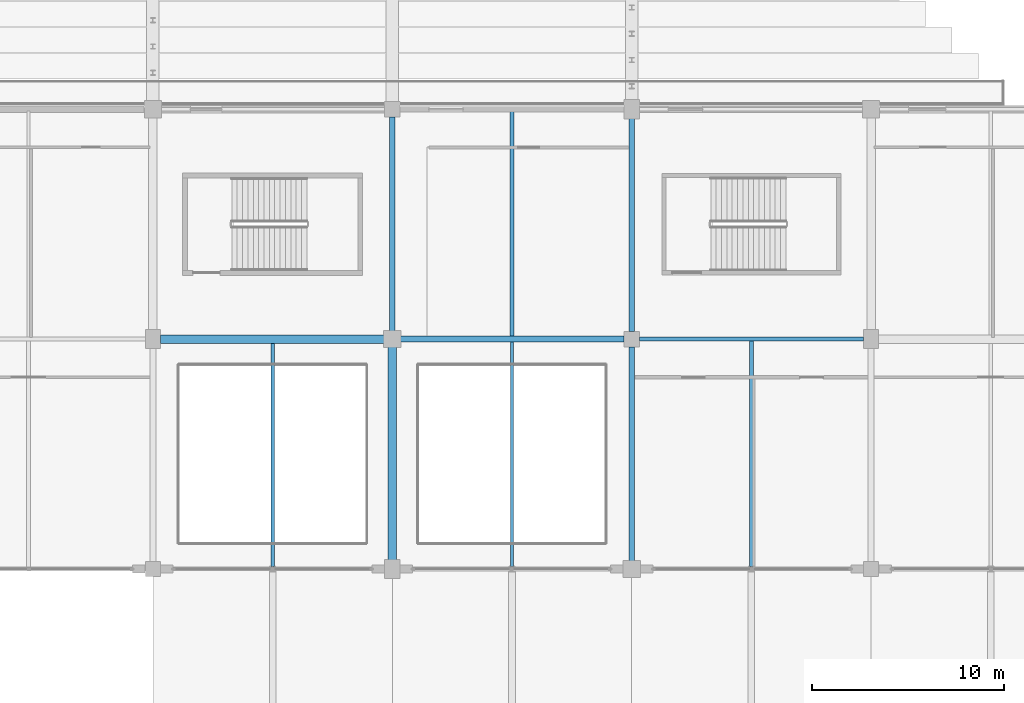
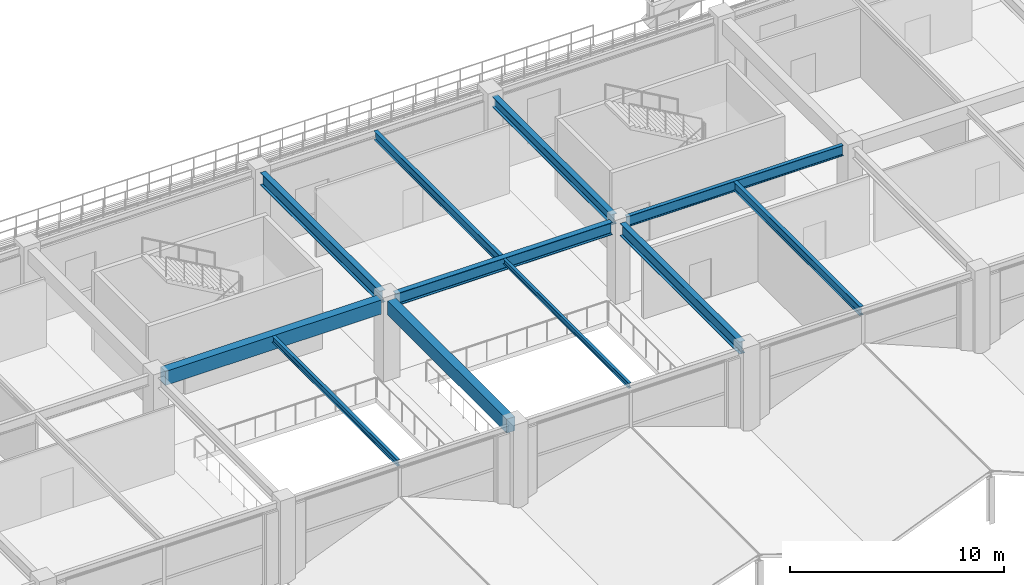
# One storey, part 30 of 134: 11 beams.
"""IFC4 building model written with IfcOpenShell, lengths in metres."""

from ifc_helpers import new_model, si_unit, direction, frame, origin, origin_2d, place, context, subcontext, project, spatial, rectangle, i_section, extrude, material, material_profile, profile_set, type_object, element, save


model = new_model("IFC4")

# Units and contexts
model_context = context("Model", 3, precision=1e-05, world=origin(), true_north=direction((0.0, 1.0)))
body_context = subcontext(model_context, "Body", "Model", "MODEL_VIEW")
ifc_project = project(units=[si_unit("LENGTHUNIT", "METRE"), si_unit("AREAUNIT", "SQUARE_METRE"), si_unit("VOLUMEUNIT", "CUBIC_METRE"), si_unit("PLANEANGLEUNIT", "RADIAN"), si_unit("MASSUNIT", "GRAM", prefix="KILO")], contexts=[model_context])

# Site, building, storey
site_placement = place(None, origin())
site = spatial("IfcSite", under=ifc_project, at=site_placement, CompositionType="ELEMENT")
building_placement = place(site_placement, origin())
building = spatial("IfcBuilding", under=site, at=building_placement, Name="Kazenohara Klinker Stadium", CompositionType="ELEMENT")
storey_placement = place(building_placement, frame((0.0, 0.0, 5.39990234375)))
storey = spatial("IfcBuildingStorey", under=building, at=storey_placement, Name="L01", CompositionType="ELEMENT", Elevation=5.39990234375)

# Beams
ifc_material_1 = material(Name="Steel S355", Category="steel")
ifc_material_profile_1 = material_profile(ifc_material_1, i_section(OverallWidth=0.199951171875, OverallDepth=0.5, WebThickness=0.010009765625, FlangeThickness=0.01611328125, FilletRadius=0.012939453125, at=origin_2d()), Name="H-500x200x10x16")
ifc_profile_set_1 = profile_set([ifc_material_profile_1], Name="Steel S355")
beam_type_1 = type_object("IfcBeamType", Name="BM-JST01", PredefinedType="JOIST", material=ifc_profile_set_1)
beam_1_placement = place(storey_placement, frame((143.75, 24.14990234375, 4.300048828125), z_axis=(0.0, 1.0, 0.0), x_axis=(-1.0, 0.0, 0.0)))
element("IfcBeam", 1, at=beam_1_placement, inside=storey, type_object=beam_type_1, Name="Secondary floor joist SJ01 L01 12/C", PredefinedType="JOIST", context=body_context, shape_type="SweptSolid", body=[
    extrude(i_section(OverallWidth=0.199951171875, OverallDepth=0.5, WebThickness=0.010009765625, FlangeThickness=0.01611328125, FilletRadius=0.012939453125, at=origin_2d()), origin(), (0.0, 0.0, 1.0), 11.75),
])
beam_2_placement = place(storey_placement, frame((156.25, 12.08740234375, 4.300048828125), z_axis=(0.0, 1.0, 0.0), x_axis=(-1.0, 0.0, 0.0)))
element("IfcBeam", 2, at=beam_2_placement, inside=storey, type_object=beam_type_1, Name="Secondary floor joist SJ01 L01 13/B", PredefinedType="JOIST", context=body_context, shape_type="SweptSolid", body=[
    extrude(i_section(OverallWidth=0.199951171875, OverallDepth=0.5, WebThickness=0.010009765625, FlangeThickness=0.01611328125, FilletRadius=0.012939453125, at=origin_2d()), origin(), (0.0, 0.0, 1.0), 11.8125),
])
ifc_material_profile_2 = material_profile(ifc_material_1, i_section(OverallWidth=0.175048828125, OverallDepth=0.35009765625, WebThickness=0.007080078125, FlangeThickness=0.010986328125, FilletRadius=0.012939453125, at=origin_2d()), Name="H-350x175x7x11")
ifc_profile_set_2 = profile_set([ifc_material_profile_2], Name="Steel S355")
beam_type_2 = type_object("IfcBeamType", Name="BM-JST04", PredefinedType="JOIST", material=ifc_profile_set_2)
beam_3_placement = place(storey_placement, frame((131.25, 12.08740234375, 4.375), z_axis=(0.0, 1.0, 0.0), x_axis=(-1.0, 0.0, 0.0)))
element("IfcBeam", 3, at=beam_3_placement, inside=storey, type_object=beam_type_2, Name="Secondary floor joist SJ04 L01 11/B", PredefinedType="JOIST", context=body_context, shape_type="SweptSolid", body=[
    extrude(i_section(OverallWidth=0.175048828125, OverallDepth=0.35009765625, WebThickness=0.007080078125, FlangeThickness=0.010986328125, FilletRadius=0.012939453125, at=origin_2d()), origin(), (0.0, 0.0, 1.0), 11.6875),
])
ifc_material_profile_3 = material_profile(ifc_material_1, i_section(OverallWidth=0.14990234375, OverallDepth=0.300048828125, WebThickness=0.006591796875, FlangeThickness=0.009033203125, FilletRadius=0.012939453125, at=origin_2d()), Name="H-300x150x6.5x9")
ifc_profile_set_3 = profile_set([ifc_material_profile_3], Name="Steel S355")
beam_type_3 = type_object("IfcBeamType", Name="BM-JST05", PredefinedType="JOIST", material=ifc_profile_set_3)
beam_4_placement = place(storey_placement, frame((143.75, 12.10009765625, 4.400146484375), z_axis=(0.0, 1.0, 0.0), x_axis=(-1.0, 0.0, 0.0)))
element("IfcBeam", 4, at=beam_4_placement, inside=storey, type_object=beam_type_3, Name="Secondary floor joist SJ05 L01 12/B", PredefinedType="JOIST", context=body_context, shape_type="SweptSolid", body=[
    extrude(i_section(OverallWidth=0.14990234375, OverallDepth=0.300048828125, WebThickness=0.006591796875, FlangeThickness=0.009033203125, FilletRadius=0.012939453125, at=origin_2d()), origin(), (0.0, 0.0, 1.0), 11.75),
])
ifc_material_2 = material(Name="Concrete C40/50", Category="concrete")
ifc_material_profile_4 = material_profile(ifc_material_2, rectangle(XDim=0.449951171875, YDim=0.800048828125, at=origin_2d()), Name="RC-BM-450x800")
ifc_profile_set_4 = profile_set([ifc_material_profile_4], Name="Concrete C40/50")
beam_type_4 = type_object("IfcBeamType", Name="BM-RC03", PredefinedType="BEAM", material=ifc_profile_set_4)
beam_5_placement = place(storey_placement, frame((125.39990234375, 24.0, 4.150146484375), z_axis=(1.0, 0.0, 0.0), x_axis=(0.0, 1.0, 0.0)))
element("IfcBeam", 5, at=beam_5_placement, inside=storey, type_object=beam_type_4, Name="Primary girder BG03 L01 11-12/C", PredefinedType="BEAM", context=body_context, shape_type="SweptSolid", body=[
    extrude(rectangle(XDim=0.449951171875, YDim=0.800048828125, at=origin_2d()), origin(), (0.0, 0.0, 1.0), 11.68017578125),
])
beam_6_placement = place(storey_placement, frame((137.5, 12.419921875, 4.150146484375), z_axis=(0.0, 1.0, 0.0), x_axis=(-1.0, 0.0, 0.0)))
element("IfcBeam", 6, at=beam_6_placement, inside=storey, type_object=beam_type_4, Name="Primary girder BG03 L01 12/B-C", PredefinedType="BEAM", context=body_context, shape_type="SweptSolid", body=[
    extrude(rectangle(XDim=0.449951171875, YDim=0.800048828125, at=origin_2d()), origin(), (0.0, 0.0, 1.0), 11.16015625),
])
ifc_material_profile_5 = material_profile(ifc_material_1, i_section(OverallWidth=0.300048828125, OverallDepth=0.699951171875, WebThickness=0.012939453125, FlangeThickness=0.02392578125, FilletRadius=0.02197265625, at=origin_2d()), Name="H-700x300x13x24")
ifc_profile_set_5 = profile_set([ifc_material_profile_5], Name="Steel S355")
beam_type_5 = type_object("IfcBeamType", Name="BM-ST03", PredefinedType="BEAM", material=ifc_profile_set_5)
beam_7_placement = place(storey_placement, frame((137.919921875, 24.0, 4.2001953125), z_axis=(1.0, 0.0, 0.0), x_axis=(0.0, 1.0, 0.0)))
element("IfcBeam", 7, at=beam_7_placement, inside=storey, type_object=beam_type_5, Name="Primary girder SB03 L01 12-13/C", PredefinedType="BEAM", context=body_context, shape_type="SweptSolid", body=[
    extrude(i_section(OverallWidth=0.300048828125, OverallDepth=0.699951171875, WebThickness=0.012939453125, FlangeThickness=0.02392578125, FilletRadius=0.02197265625, at=origin_2d()), origin(), (0.0, 0.0, 1.0), 11.68017578125),
])
for number, where, z_axis, x_axis, name in (
    (8, (137.5, 24.419921875, 4.2001953125), (0.0, 1.0, 0.0), (-1.0, 0.0, 0.0), "Primary girder SB03 L01 12/C-D"),
    (9, (150.0, 12.419921875, 4.2001953125), (0.0, 1.0, 0.0), (-1.0, 0.0, 0.0), "Primary girder SB03 L01 13/B-C"),
):
    element("IfcBeam", number, at=place(storey_placement, frame(where, z_axis=z_axis, x_axis=x_axis)), inside=storey, type_object=beam_type_5, Name=name, PredefinedType="BEAM", context=body_context, shape_type="SweptSolid", body=[
        extrude(i_section(OverallWidth=0.300048828125, OverallDepth=0.699951171875, WebThickness=0.012939453125, FlangeThickness=0.02392578125, FilletRadius=0.02197265625, at=origin_2d()), origin(), (0.0, 0.0, 1.0), 11.18017578125),
    ])
ifc_material_profile_6 = material_profile(ifc_material_1, i_section(OverallWidth=0.199951171875, OverallDepth=0.60009765625, WebThickness=0.010986328125, FlangeThickness=0.01708984375, FilletRadius=0.012939453125, at=origin_2d()), Name="H-600x200x11x17")
ifc_profile_set_6 = profile_set([ifc_material_profile_6], Name="Steel S355")
beam_type_6 = type_object("IfcBeamType", Name="BM-ST04", PredefinedType="BEAM", material=ifc_profile_set_6)
beam_8_placement = place(storey_placement, frame((150.39990234375, 24.0, 4.25), z_axis=(1.0, 0.0, 0.0), x_axis=(0.0, 1.0, 0.0)))
element("IfcBeam", 10, at=beam_8_placement, inside=storey, type_object=beam_type_6, Name="Primary girder SB04 L01 13-14/C", PredefinedType="BEAM", context=body_context, shape_type="SweptSolid", body=[
    extrude(i_section(OverallWidth=0.199951171875, OverallDepth=0.60009765625, WebThickness=0.010986328125, FlangeThickness=0.01708984375, FilletRadius=0.012939453125, at=origin_2d()), origin(), (0.0, 0.0, 1.0), 11.7001953125),
])
ifc_material_profile_7 = material_profile(ifc_material_1, i_section(OverallWidth=0.300048828125, OverallDepth=0.587890625, WebThickness=0.011962890625, FlangeThickness=0.02001953125, FilletRadius=0.02197265625, at=origin_2d()), Name="H-588x300x12x20")
ifc_profile_set_7 = profile_set([ifc_material_profile_7], Name="Steel S355")
beam_type_7 = type_object("IfcBeamType", Name="BM-ST05", PredefinedType="BEAM", material=ifc_profile_set_7)
beam_9_placement = place(storey_placement, frame((150.0, 24.39990234375, 4.256103515625), z_axis=(0.0, 1.0, 0.0), x_axis=(-1.0, 0.0, 0.0)))
element("IfcBeam", 11, at=beam_9_placement, inside=storey, type_object=beam_type_7, Name="Primary girder SB05 L01 13/C-D", PredefinedType="BEAM", context=body_context, shape_type="SweptSolid", body=[
    extrude(i_section(OverallWidth=0.300048828125, OverallDepth=0.587890625, WebThickness=0.011962890625, FlangeThickness=0.02001953125, FilletRadius=0.02197265625, at=origin_2d()), origin(), (0.0, 0.0, 1.0), 11.18017578125),
])

save(model, "model.ifc")
